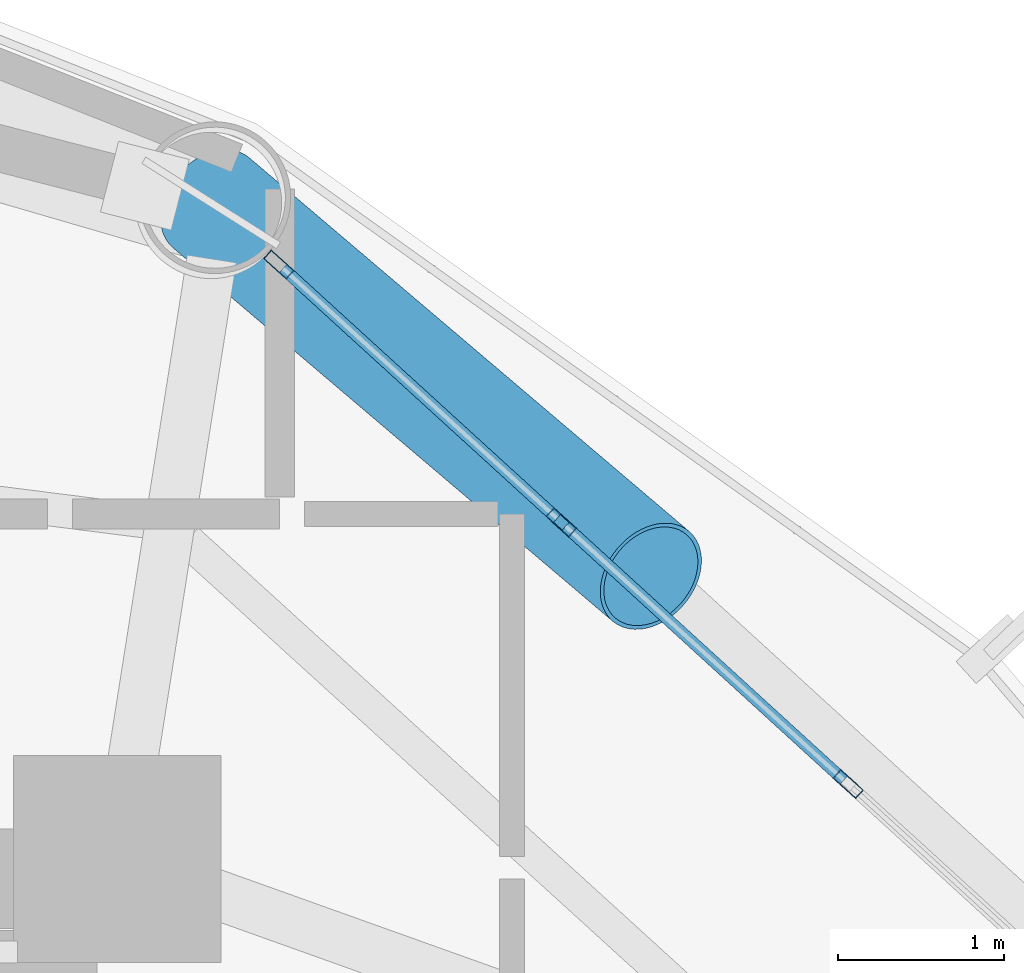
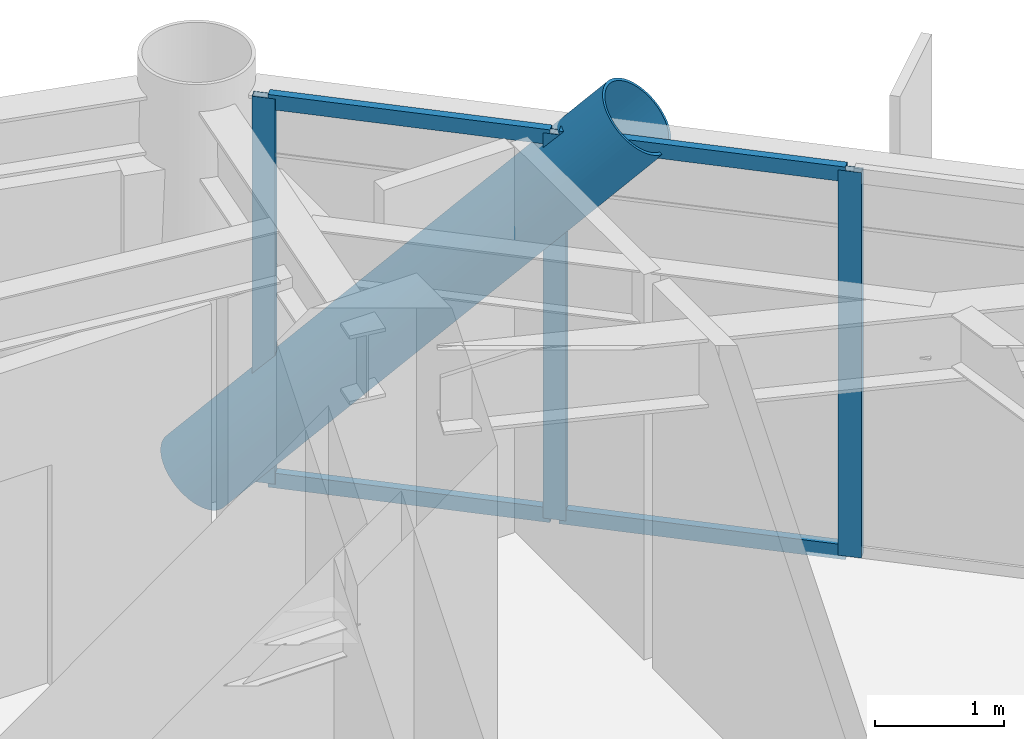
# One storey, part 19 of 26: 8 members, 1 element without a shape of its own.
"""IFC4 building model written with IfcOpenShell, lengths in metres."""

import ifcopenshell
import ifcopenshell.guid

model = None  # the IFC model being written
_history = None  # IfcOwnerHistory: only IFC2X3 demands one
_inside = {}  # id of a spatial element -> (the spatial element, [elements in it])
_under = {}  # id of a project, library or spatial element -> (it, [spatial elements below it])
_declared = {}  # id of a project -> (the project, [libraries it declares])
_typed = {}  # id of a type object -> (the type object, [elements of that type])
_made_of = {}  # id of a material, layer set ... -> (it, [elements and type objects made of it])


def new_model(schema):
    """Start an empty IFC model of exactly this schema.

    Asked for "IFC4X3", IfcOpenShell would pick the latest addendum, in which some entities
    have other attributes; the version numbers below select the first issue.
    IFC2X3 requires an IfcOwnerHistory on every rooted entity: one is made here for all.
    """
    global model, _history
    if schema == "IFC4X3":
        model = ifcopenshell.file(schema_version=(4, 3, 0, 0))
    else:
        model = ifcopenshell.file(schema=schema)
    _inside.clear()
    _under.clear()
    _declared.clear()
    _typed.clear()
    _made_of.clear()
    _history = None
    if model.schema == "IFC2X3":
        org = make("IfcOrganization", Name="unknown")
        user = make(
            "IfcPersonAndOrganization",
            ThePerson=make("IfcPerson", FamilyName="unknown"),
            TheOrganization=org,
        )
        app = make(
            "IfcApplication",
            ApplicationDeveloper=org,
            Version="unknown",
            ApplicationFullName="unknown",
            ApplicationIdentifier="unknown",
        )
        _history = make(
            "IfcOwnerHistory",
            OwningUser=user,
            OwningApplication=app,
            ChangeAction="ADDED",
            CreationDate=0,
        )
    return model


def make(cls, **values):
    """One entity of the class cls with the attributes given. An attribute that is None is left unset."""
    return model.create_entity(
        cls, **{name: value for name, value in values.items() if value is not None}
    )


def rooted(cls, **values):
    """An entity with a GlobalId (a new one), such as an element, a storey or a relation."""
    return make(cls, GlobalId=ifcopenshell.guid.new(), OwnerHistory=_history, **values)


def si_unit(unit_type, name, prefix=None):
    """IfcSIUnit, for example si_unit("LENGTHUNIT", "METRE", prefix="MILLI")."""
    return make("IfcSIUnit", UnitType=unit_type, Prefix=prefix, Name=name)


def assignment(units):
    """IfcUnitAssignment: the units of a project."""
    return None if units is None else make("IfcUnitAssignment", Units=units)


def point(xyz):
    """IfcCartesianPoint."""
    return None if xyz is None else make("IfcCartesianPoint", Coordinates=xyz)


def direction(xyz):
    """IfcDirection."""
    return None if xyz is None else make("IfcDirection", DirectionRatios=xyz)


def frame(location, z_axis=None, x_axis=None):
    """IfcAxis2Placement3D, a coordinate frame: its origin and axes. An axis left out is left unset."""
    return make(
        "IfcAxis2Placement3D",
        Location=point(location),
        Axis=direction(z_axis),
        RefDirection=direction(x_axis),
    )


def frame_2d(location, x_axis=None):
    """IfcAxis2Placement2D, a coordinate frame in the plane: its origin and x axis."""
    return make(
        "IfcAxis2Placement2D", Location=point(location), RefDirection=direction(x_axis)
    )


def origin():
    """The frame at (0, 0, 0) with its axes left unset."""
    return frame((0.0, 0.0, 0.0))


def origin_2d():
    """The frame at (0, 0) in the plane with its x axis left unset."""
    return frame_2d((0.0, 0.0))


def place(relative_to, where):
    """IfcLocalPlacement: puts the frame where relative to a parent placement (None: the world)."""
    return make(
        "IfcLocalPlacement", PlacementRelTo=relative_to, RelativePlacement=where
    )


def context(
    kind, dimensions, precision=None, world=None, true_north=None, identifier=None
):
    """IfcGeometricRepresentationContext, for example the 3D "Model" context."""
    return make(
        "IfcGeometricRepresentationContext",
        ContextIdentifier=identifier,
        ContextType=kind,
        CoordinateSpaceDimension=dimensions,
        Precision=precision,
        WorldCoordinateSystem=world,
        TrueNorth=true_north,
    )


def subcontext(parent, identifier, kind, view, scale=None):
    """IfcGeometricRepresentationSubContext, for example "Body" below "Model"."""
    return make(
        "IfcGeometricRepresentationSubContext",
        ContextIdentifier=identifier,
        ContextType=kind,
        ParentContext=parent,
        TargetScale=scale,
        TargetView=view,
    )


def project(units=None, contexts=None):
    """IfcProject with its units and contexts."""
    return rooted(
        "IfcProject",
        Name="project",
        RepresentationContexts=contexts,
        UnitsInContext=assignment(units),
    )


def spatial(cls, under=None, at=None, **own):
    """A site, building, storey or space (cls), placed at a placement, below another one or the project."""
    s = rooted(cls, ObjectPlacement=at, **own)
    if under is not None:
        _under.setdefault(under.id(), (under, []))[1].append(s)
    return s


def profile(cls, at=None, kind="AREA", **sizes):
    """A parametric profile (cls). Its sizes go by their IFC names, for example OverallWidth=200.0."""
    return make(cls, ProfileType=kind, Position=at, **sizes)


def hollow_rectangle(**sizes):
    """IfcRectangleHollowProfileDef."""
    return profile("IfcRectangleHollowProfileDef", **sizes)


def hollow_circle(**sizes):
    """IfcCircleHollowProfileDef."""
    return profile("IfcCircleHollowProfileDef", **sizes)


def extrude(swept, where, along, depth):
    """IfcExtrudedAreaSolid: the profile swept, set in the frame where, extruded along a direction by depth."""
    return make(
        "IfcExtrudedAreaSolid",
        SweptArea=swept,
        Position=where,
        ExtrudedDirection=direction(along),
        Depth=depth,
    )


def shape(context_of_items, identifier, shape_type, items):
    """IfcShapeRepresentation: the items that make up one representation, for example the "Body"."""
    return make(
        "IfcShapeRepresentation",
        ContextOfItems=context_of_items,
        RepresentationIdentifier=identifier,
        RepresentationType=shape_type,
        Items=items,
    )


def material(Name=None, Category=None):
    """IfcMaterial."""
    return make("IfcMaterial", Name=Name, Category=Category)


def layer(
    of_material, thickness, ventilated=None, Name=None, Category=None, Priority=None
):
    """IfcMaterialLayer: one layer of a wall or slab, of a material (None: an air gap)."""
    return make(
        "IfcMaterialLayer",
        Material=of_material,
        LayerThickness=thickness,
        IsVentilated=ventilated,
        Name=Name,
        Category=Category,
        Priority=Priority,
    )


def layer_set(layers, Name=None):
    """IfcMaterialLayerSet."""
    return make("IfcMaterialLayerSet", MaterialLayers=layers, LayerSetName=Name)


def material_profile(
    of_material, cross_section, Name=None, Category=None, Priority=None
):
    """IfcMaterialProfile: a cross section and its material."""
    return make(
        "IfcMaterialProfile",
        Name=Name,
        Material=of_material,
        Profile=cross_section,
        Priority=Priority,
        Category=Category,
    )


def profile_set(profiles, Name=None, composite=None):
    """IfcMaterialProfileSet."""
    return make(
        "IfcMaterialProfileSet",
        Name=Name,
        MaterialProfiles=profiles,
        CompositeProfile=composite,
    )


def made_of(thing, what):
    """Note that an element or type object is made of a material, layer set ...; save() writes the relation."""
    if what is not None:
        _made_of.setdefault(what.id(), (what, []))[1].append(thing)
    return thing


def type_object(cls, material=None, **own):
    """A type object (cls), such as IfcWallType, which elements share."""
    return made_of(rooted(cls, **own), material)


def element(
    cls,
    number,
    at=None,
    inside=None,
    cuts=None,
    type_object=None,
    material=None,
    context=None,
    identifier="Body",
    shape_type=None,
    held_by="IfcProductDefinitionShape",
    body=None,
    shapes=None,
    **own,
):
    """One element of the class cls, such as IfcWall. Its Tag is "e" and its number.

    at: its placement. inside: the storey or other place that contains it. cuts: it is an
    opening in that element (IfcRelVoidsElement). A single representation is given by context,
    identifier, shape_type and body (its items); several are given by shapes. held_by: the class
    of the entity that holds the representations. save() writes the other relations.
    """
    e = rooted(cls, Tag="e%d" % number, ObjectPlacement=at, **own)
    if body is not None:
        shapes = [shape(context, identifier, shape_type, body)]
    if shapes is not None:
        e.Representation = make(held_by, Representations=shapes)
    if inside is not None:
        _inside.setdefault(inside.id(), (inside, []))[1].append(e)
    if cuts is not None:
        rooted(
            "IfcRelVoidsElement", RelatingBuildingElement=cuts, RelatedOpeningElement=e
        )
    if type_object is not None:
        _typed.setdefault(type_object.id(), (type_object, []))[1].append(e)
    return made_of(e, material)


def aggregate(whole, parts):
    """IfcRelAggregates: a whole, such as a stair, and the parts it consists of."""
    return rooted("IfcRelAggregates", RelatingObject=whole, RelatedObjects=parts)


def save(model, path):
    """Write the relations noted so far, then the file.

    IfcRelAggregates (storeys below a building ...), IfcRelContainedInSpatialStructure (elements
    in a storey), IfcRelDefinesByType, IfcRelAssociatesMaterial and IfcRelDeclares: one each for
    every whole, place, type object, material and project.
    """
    for whole, parts in _under.values():
        aggregate(whole, parts)
    for where, things in _inside.values():
        rooted(
            "IfcRelContainedInSpatialStructure",
            RelatedElements=things,
            RelatingStructure=where,
        )
    for kind, things in _typed.values():
        rooted("IfcRelDefinesByType", RelatedObjects=things, RelatingType=kind)
    for what, things in _made_of.values():
        rooted("IfcRelAssociatesMaterial", RelatedObjects=things, RelatingMaterial=what)
    for by, libraries in _declared.values():
        rooted("IfcRelDeclares", RelatingContext=by, RelatedDefinitions=libraries)
    model.write(path)


model = new_model("IFC4")

# Units and contexts
model_context = context("Model", 3, precision=1e-05, world=origin(), true_north=direction((0.0, 1.0)))
body_context = subcontext(model_context, "Body", "Model", "MODEL_VIEW")
ifc_project = project(units=[si_unit("LENGTHUNIT", "METRE"), si_unit("AREAUNIT", "SQUARE_METRE"), si_unit("VOLUMEUNIT", "CUBIC_METRE"), si_unit("PLANEANGLEUNIT", "RADIAN"), si_unit("MASSUNIT", "GRAM", prefix="KILO")], contexts=[model_context])

# Site, building, storey
site_placement = place(None, origin())
site = spatial("IfcSite", under=ifc_project, at=site_placement, CompositionType="ELEMENT")
building_placement = place(site_placement, origin())
building = spatial("IfcBuilding", under=site, at=building_placement, Name="Varnakorn Sky Granary", CompositionType="ELEMENT")
storey_placement = place(building_placement, frame((0.0, 0.0, 51.0)))
storey = spatial("IfcBuildingStorey", under=building, at=storey_placement, Name="L12", CompositionType="ELEMENT", Elevation=51.0)

# Curtain wall, members
ifc_material_1 = material(Name="Anodised Bronze Aluminium Alloy 6063-T6", Category="aluminium")
ifc_layer = layer(ifc_material_1, 0.18994140625, Name="Anodised Bronze Aluminium Alloy 6063-T6")
ifc_layer_set = layer_set([ifc_layer], Name="Anodised Bronze Aluminium Alloy 6063-T6")
curtain_wall_type = type_object("IfcCurtainWallType", Name="CW-FRM-1", PredefinedType="USERDEFINED", material=ifc_layer_set)
curtain_wall_placement = place(storey_placement, origin())
curtain_wall = element("IfcCurtainWall", 1, at=curtain_wall_placement, inside=storey, type_object=curtain_wall_type, Name="Unitised Curtain Wall CW3 CW-L12-B02", ObjectType="CURTAIN WALL", PredefinedType="USERDEFINED")
ifc_material_profile_1 = material_profile(ifc_material_1, hollow_rectangle(XDim=0.070068359375, YDim=0.18505859375, WallThickness=0.00390625, at=origin_2d()), Name="ALU MULL 70x185")
ifc_profile_set_1 = profile_set([ifc_material_profile_1], Name="Anodised Bronze Aluminium Alloy 6063-T6")
member_type_1 = type_object("IfcMemberType", Name="CW-FRM-1-MULL", PredefinedType="MULLION", material=ifc_profile_set_1)
member_1_placement = place(storey_placement, frame((9.394287109375, 16.201904296875, 0.0), z_axis=(0.0, 0.0, 1.0), x_axis=(0.674049155123, 0.73868649404, 0.0)))
member_1 = element("IfcMember", 2, at=member_1_placement, type_object=member_type_1, Name="CW3 mullion 1", PredefinedType="MULLION", context=body_context, shape_type="SweptSolid", body=[
    extrude(hollow_rectangle(XDim=0.070068359375, YDim=0.18505859375, WallThickness=0.00390625, at=origin_2d()), origin(), (0.0, 0.0, 1.0), 3.639892578125),
])
member_2_placement = place(storey_placement, frame((11.0966796875, 14.6484375, 0.0), z_axis=(0.0, 0.0, 1.0), x_axis=(0.674049155123, 0.73868649404, 0.0)))
member_2 = element("IfcMember", 3, at=member_2_placement, type_object=member_type_1, Name="CW3 mullion 2", PredefinedType="MULLION", context=body_context, shape_type="SweptSolid", body=[
    extrude(hollow_rectangle(XDim=0.070068359375, YDim=0.18505859375, WallThickness=0.00390625, at=origin_2d()), origin(), (0.0, 0.0, 1.0), 3.639892578125),
])
member_3_placement = place(storey_placement, frame((12.824951171875, 13.071533203125, 0.0), z_axis=(0.0, 0.0, 1.0), x_axis=(0.674049155123, 0.73868649404, 0.0)))
member_3 = element("IfcMember", 4, at=member_3_placement, type_object=member_type_1, Name="CW3 mullion 3", PredefinedType="MULLION", context=body_context, shape_type="SweptSolid", body=[
    extrude(hollow_rectangle(XDim=0.070068359375, YDim=0.18505859375, WallThickness=0.00390625, at=origin_2d()), origin(), (0.0, 0.0, 1.0), 3.639892578125),
])
ifc_material_profile_2 = material_profile(ifc_material_1, hollow_rectangle(XDim=0.070068359375, YDim=0.139892578125, WallThickness=0.00341796875, at=origin_2d()), Name="ALU TRAN 70x140")
ifc_profile_set_2 = profile_set([ifc_material_profile_2], Name="Anodised Bronze Aluminium Alloy 6063-T6")
member_type_2 = type_object("IfcMemberType", Name="CW-FRM-1-TRAN", PredefinedType="USERDEFINED", material=ifc_profile_set_2)
member_4_placement = place(storey_placement, frame((9.420166015625, 16.17822265625, 0.034912109375), z_axis=(0.738707803791, -0.674025801152, 0.0), x_axis=(0.674025801152, 0.738707803791, 0.0)))
member_4 = element("IfcMember", 5, at=member_4_placement, type_object=member_type_2, Name="CW3 transom 1.1", ObjectType="TRANSOM", PredefinedType="USERDEFINED", context=body_context, shape_type="SweptSolid", body=[
    extrude(hollow_rectangle(XDim=0.070068359375, YDim=0.139892578125, WallThickness=0.00341796875, at=origin_2d()), origin(), (0.0, 0.0, 1.0), 2.234375),
])
member_5_placement = place(storey_placement, frame((9.420166015625, 16.17822265625, 3.60498046875), z_axis=(0.738707803791, -0.674025801152, 0.0), x_axis=(0.674025801152, 0.738707803791, 0.0)))
member_5 = element("IfcMember", 6, at=member_5_placement, type_object=member_type_2, Name="CW3 transom 1.2", ObjectType="TRANSOM", PredefinedType="USERDEFINED", context=body_context, shape_type="SweptSolid", body=[
    extrude(hollow_rectangle(XDim=0.070068359375, YDim=0.139892578125, WallThickness=0.00341796875, at=origin_2d()), origin(), (0.0, 0.0, 1.0), 2.234375),
])
member_6_placement = place(storey_placement, frame((11.12255859375, 14.625, 0.034912109375), z_axis=(0.738639168697, -0.674101015032, 0.0), x_axis=(0.674101015032, 0.738639168697, 0.0)))
member_6 = element("IfcMember", 7, at=member_6_placement, type_object=member_type_2, Name="CW3 transom 2.1", ObjectType="TRANSOM", PredefinedType="USERDEFINED", context=body_context, shape_type="SweptSolid", body=[
    extrude(hollow_rectangle(XDim=0.070068359375, YDim=0.139892578125, WallThickness=0.00341796875, at=origin_2d()), origin(), (0.0, 0.0, 1.0), 2.269775390625),
])
member_7_placement = place(storey_placement, frame((11.12255859375, 14.625, 3.60498046875), z_axis=(0.738639168697, -0.674101015032, 0.0), x_axis=(0.674101015032, 0.738639168697, 0.0)))
member_7 = element("IfcMember", 8, at=member_7_placement, type_object=member_type_2, Name="CW3 transom 2.2", ObjectType="TRANSOM", PredefinedType="USERDEFINED", context=body_context, shape_type="SweptSolid", body=[
    extrude(hollow_rectangle(XDim=0.070068359375, YDim=0.139892578125, WallThickness=0.00341796875, at=origin_2d()), origin(), (0.0, 0.0, 1.0), 2.269775390625),
])
aggregate(curtain_wall, [member_1, member_2, member_3, member_4, member_5, member_6, member_7])

# Member
ifc_material_2 = material(Name="Steel S460M", Category="steel")
ifc_material_profile_3 = material_profile(ifc_material_2, hollow_circle(Radius=0.35546875, WallThickness=0.02490234375, at=origin_2d()), Name="CHS 711x25")
ifc_profile_set_3 = profile_set([ifc_material_profile_3], Name="Steel S460M")
member_type_3 = type_object("IfcMemberType", Name="MB-DIAG-T0", PredefinedType="BRACE", material=ifc_profile_set_3)
member_8_placement = place(storey_placement, frame((8.986572265625, 16.573974609375, 0.0), z_axis=(0.515214202308, -0.437549921927, 0.736956166648), x_axis=(0.647320139144, 0.762218234798, 0.0)))
element("IfcMember", 9, at=member_8_placement, inside=storey, type_object=member_type_3, Name="Perimeter CHS Diagrid Brace DG02 L12", PredefinedType="BRACE", context=body_context, shape_type="SweptSolid", body=[
    extrude(hollow_circle(Radius=0.35546875, WallThickness=0.02490234375, at=origin_2d()), origin(), (0.0, 0.0, 1.0), 5.142822265625),
])

save(model, "model.ifc")
